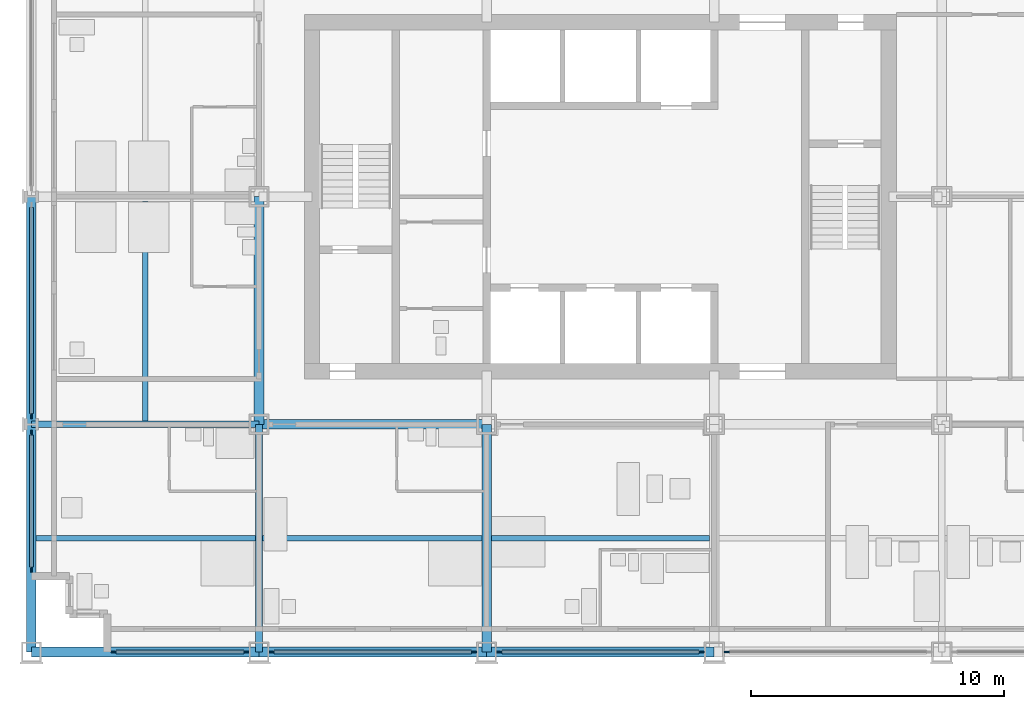
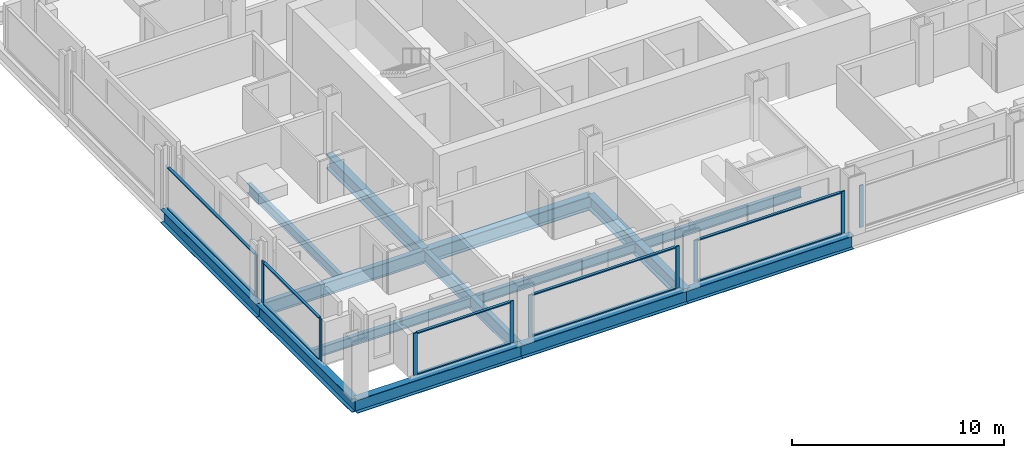
# One storey, part 2 of 18: 20 members, 14 beams, 6 elements without a shape of their own.
"""IFC4 building model written with IfcOpenShell, lengths in metres."""

from ifc_helpers import new_model, si_unit, direction, frame, origin, origin_2d, place, context, subcontext, project, spatial, rectangle, i_section, extrude, material, material_profile, profile_set, type_object, element, aggregate, save


model = new_model("IFC4")

# Units and contexts
model_context = context("Model", 3, precision=1e-05, world=origin(), true_north=direction((0.0, 1.0)))
body_context = subcontext(model_context, "Body", "Model", "MODEL_VIEW")
ifc_project = project(units=[si_unit("LENGTHUNIT", "METRE"), si_unit("AREAUNIT", "SQUARE_METRE"), si_unit("VOLUMEUNIT", "CUBIC_METRE"), si_unit("PLANEANGLEUNIT", "RADIAN"), si_unit("MASSUNIT", "GRAM", prefix="KILO")], contexts=[model_context])

# Site, building, storey
site_placement = place(None, origin())
site = spatial("IfcSite", under=ifc_project, at=site_placement, CompositionType="ELEMENT")
building_placement = place(site_placement, origin())
building = spatial("IfcBuilding", under=site, at=building_placement, Name="Loomwork Tower", CompositionType="ELEMENT")
storey_placement = place(building_placement, frame((0.0, 0.0, 79.0)))
storey = spatial("IfcBuildingStorey", under=building, at=storey_placement, Name="L20", CompositionType="ELEMENT", Elevation=79.0)

# Beams
ifc_material_1 = material(Name="Steel ASTM A992", Category="steel")
ifc_material_profile_1 = material_profile(ifc_material_1, i_section(OverallWidth=0.383544921875, OverallDepth=0.794921875, WebThickness=0.02099609375, FlangeThickness=0.0380859375, at=origin_2d()), Name="W30x235")
ifc_profile_set_1 = profile_set([ifc_material_profile_1], Name="Steel ASTM A992")
beam_type_1 = type_object("IfcBeamType", Name="CORE FLANK GIRDER W30x235", PredefinedType="BEAM", material=ifc_profile_set_1)
for number, where, z_axis, x_axis, name in (
    (1, (9.0, 9.0, -0.597412109375), (1.0, 0.0, 0.0), (0.0, 1.0, 0.0), "Core Flank Girder E/3-E/4 L20"),
    (2, (9.0, 9.0, -0.597412109375), (0.0, 1.0, 0.0), (-1.0, 0.0, 0.0), "Core Flank Girder E/3-F/3 L20"),
    (3, (18.0, 0.0, -0.597412109375), (0.0, 1.0, 0.0), (-1.0, 0.0, 0.0), "Core Flank Girder D/4-E/4 L20"),
):
    element("IfcBeam", number, at=place(storey_placement, frame(where, z_axis=z_axis, x_axis=x_axis)), inside=storey, type_object=beam_type_1, Name=name, PredefinedType="BEAM", context=body_context, shape_type="SweptSolid", body=[
        extrude(i_section(OverallWidth=0.383544921875, OverallDepth=0.794921875, WebThickness=0.02099609375, FlangeThickness=0.0380859375, at=origin_2d()), origin(), (0.0, 0.0, 1.0), 9.0),
    ])
ifc_material_2 = material(Name="Steel ASTM A992", Category="steel")
ifc_material_profile_2 = material_profile(ifc_material_2, i_section(OverallWidth=0.2666015625, OverallDepth=0.761962890625, WebThickness=0.014404296875, FlangeThickness=0.021484375, at=origin_2d()), Name="W30x116")
ifc_profile_set_2 = profile_set([ifc_material_profile_2], Name="Steel ASTM A992")
beam_type_2 = type_object("IfcBeamType", Name="FLOOR GIRDER W30x116", PredefinedType="BEAM", material=ifc_profile_set_2)
for number, where, z_axis, x_axis, name in (
    (4, (0.0, 9.0, -0.5810546875), (1.0, 0.0, 0.0), (0.0, 1.0, 0.0), "Floor Girder E/2-E/3 L20"),
    (5, (9.0, 0.0, -0.5810546875), (0.0, 1.0, 0.0), (-1.0, 0.0, 0.0), "Floor Girder D/3-E/3 L20"),
):
    element("IfcBeam", number, at=place(storey_placement, frame(where, z_axis=z_axis, x_axis=x_axis)), inside=storey, type_object=beam_type_2, Name=name, PredefinedType="BEAM", context=body_context, shape_type="SweptSolid", body=[
        extrude(i_section(OverallWidth=0.2666015625, OverallDepth=0.761962890625, WebThickness=0.014404296875, FlangeThickness=0.021484375, at=origin_2d()), origin(), (0.0, 0.0, 1.0), 9.0),
    ])
ifc_material_3 = material(Name="Steel ASTM A992", Category="steel")
ifc_material_profile_3 = material_profile(ifc_material_3, i_section(OverallWidth=0.2109375, OverallDepth=0.53857421875, WebThickness=0.011474609375, FlangeThickness=0.018798828125, at=origin_2d()), Name="W21x73")
ifc_profile_set_3 = profile_set([ifc_material_profile_3], Name="Steel ASTM A992")
beam_type_3 = type_object("IfcBeamType", Name="FLOOR JOIST W21x73", PredefinedType="JOIST", material=ifc_profile_set_3)
beam_1_placement = place(storey_placement, frame((0.18994140625, 4.5, -0.46923828125), z_axis=(1.0, 0.0, 0.0), x_axis=(0.0, 1.0, 0.0)))
element("IfcBeam", 6, at=beam_1_placement, inside=storey, type_object=beam_type_3, Name="Floor Joist 0.000,4.500-9.000,4.500 L20", PredefinedType="JOIST", context=body_context, shape_type="SweptSolid", body=[
    extrude(i_section(OverallWidth=0.2109375, OverallDepth=0.53857421875, WebThickness=0.011474609375, FlangeThickness=0.018798828125, at=origin_2d()), origin(), (0.0, 0.0, 1.0), 8.677001953125),
])
for number, where, z_axis, x_axis, name in (
    (7, (4.5, 9.133056640625, -0.46923828125), (0.0, 1.0, 0.0), (-1.0, 0.0, 0.0), "Floor Joist 4.500,9.000-4.500,18.000 L20"),
    (8, (9.133056640625, 4.5, -0.46923828125), (1.0, 0.0, 0.0), (0.0, 1.0, 0.0), "Floor Joist 9.000,4.500-18.000,4.500 L20"),
):
    element("IfcBeam", number, at=place(storey_placement, frame(where, z_axis=z_axis, x_axis=x_axis)), inside=storey, type_object=beam_type_3, Name=name, PredefinedType="JOIST", context=body_context, shape_type="SweptSolid", body=[
        extrude(i_section(OverallWidth=0.2109375, OverallDepth=0.53857421875, WebThickness=0.011474609375, FlangeThickness=0.018798828125, at=origin_2d()), origin(), (0.0, 0.0, 1.0), 8.676025390625),
    ])
beam_2_placement = place(storey_placement, frame((18.19091796875, 4.5, -0.46923828125), z_axis=(1.0, 0.0, 0.0), x_axis=(0.0, 1.0, 0.0)))
element("IfcBeam", 9, at=beam_2_placement, inside=storey, type_object=beam_type_3, Name="Floor Joist 18.000,4.500-27.000,4.500 L20", PredefinedType="JOIST", context=body_context, shape_type="SweptSolid", body=[
    extrude(i_section(OverallWidth=0.2109375, OverallDepth=0.53857421875, WebThickness=0.011474609375, FlangeThickness=0.018798828125, at=origin_2d()), origin(), (0.0, 0.0, 1.0), 8.6181640625),
])

# Curtain wall, members
ifc_material_4 = material(Name="Aluminium curtain wall frame", Category="aluminium")
curtain_wall_type = type_object("IfcCurtainWallType", Name="Outer skin glazing hotel", PredefinedType="NOTDEFINED", material=ifc_material_4)
curtain_wall_1_placement = place(storey_placement, origin())
curtain_wall_1 = element("IfcCurtainWall", 10, at=curtain_wall_1_placement, inside=storey, type_object=curtain_wall_type, Name="Outer skin glazing hotel cw/S-0", PredefinedType="NOTDEFINED")
ifc_material_5 = material(Name="Aluminium curtain wall frame", Category="aluminium")
ifc_material_profile_4 = material_profile(ifc_material_5, rectangle(XDim=0.06494140625, YDim=0.199951171875, at=origin_2d()), Name="AL 65x200")
ifc_profile_set_4 = profile_set([ifc_material_profile_4], Name="Aluminium curtain wall frame")
member_type_1 = type_object("IfcMemberType", Name="Outer skin glazing hotel mullion", PredefinedType="MULLION", material=ifc_profile_set_4)
member_1_placement = place(storey_placement, frame((3.25, 0.0, 0.0), z_axis=(0.0, 0.0, 1.0), x_axis=(0.0, 1.0, 0.0)))
member_1 = element("IfcMember", 11, at=member_1_placement, type_object=member_type_1, Name="CW1 mullion 1", PredefinedType="MULLION", context=body_context, shape_type="SweptSolid", body=[
    extrude(rectangle(XDim=0.06494140625, YDim=0.199951171875, at=origin_2d()), origin(), (0.0, 0.0, 1.0), 2.420166015625),
])
member_2_placement = place(storey_placement, frame((8.5, 0.0, 0.0), z_axis=(0.0, 0.0, 1.0), x_axis=(0.0, 1.0, 0.0)))
member_2 = element("IfcMember", 12, at=member_2_placement, type_object=member_type_1, Name="CW1 mullion 2", PredefinedType="MULLION", context=body_context, shape_type="SweptSolid", body=[
    extrude(rectangle(XDim=0.06494140625, YDim=0.199951171875, at=origin_2d()), origin(), (0.0, 0.0, 1.0), 2.420166015625),
])

curtain_wall_2_placement = place(storey_placement, origin())
curtain_wall_2 = element("IfcCurtainWall", 13, at=curtain_wall_2_placement, inside=storey, type_object=curtain_wall_type, Name="Outer skin glazing hotel cw/S-9", PredefinedType="NOTDEFINED")
member_3_placement = place(storey_placement, frame((9.5, 0.0, 0.0), z_axis=(0.0, 0.0, 1.0), x_axis=(0.0, 1.0, 0.0)))
member_3 = element("IfcMember", 14, at=member_3_placement, type_object=member_type_1, Name="CW1 mullion 1", PredefinedType="MULLION", context=body_context, shape_type="SweptSolid", body=[
    extrude(rectangle(XDim=0.06494140625, YDim=0.199951171875, at=origin_2d()), origin(), (0.0, 0.0, 1.0), 2.420166015625),
])
member_4_placement = place(storey_placement, frame((17.5, 0.0, 0.0), z_axis=(0.0, 0.0, 1.0), x_axis=(0.0, 1.0, 0.0)))
member_4 = element("IfcMember", 15, at=member_4_placement, type_object=member_type_1, Name="CW1 mullion 2", PredefinedType="MULLION", context=body_context, shape_type="SweptSolid", body=[
    extrude(rectangle(XDim=0.06494140625, YDim=0.199951171875, at=origin_2d()), origin(), (0.0, 0.0, 1.0), 2.420166015625),
])

curtain_wall_3_placement = place(storey_placement, origin())
curtain_wall_3 = element("IfcCurtainWall", 16, at=curtain_wall_3_placement, inside=storey, type_object=curtain_wall_type, Name="Outer skin glazing hotel cw/S-18", PredefinedType="NOTDEFINED")
member_5_placement = place(storey_placement, frame((18.5, 0.0, 0.0), z_axis=(0.0, 0.0, 1.0), x_axis=(0.0, 1.0, 0.0)))
member_5 = element("IfcMember", 17, at=member_5_placement, type_object=member_type_1, Name="CW1 mullion 1", PredefinedType="MULLION", context=body_context, shape_type="SweptSolid", body=[
    extrude(rectangle(XDim=0.06494140625, YDim=0.199951171875, at=origin_2d()), origin(), (0.0, 0.0, 1.0), 2.420166015625),
])
member_6_placement = place(storey_placement, frame((26.5, 0.0, 0.0), z_axis=(0.0, 0.0, 1.0), x_axis=(0.0, 1.0, 0.0)))
member_6 = element("IfcMember", 18, at=member_6_placement, type_object=member_type_1, Name="CW1 mullion 2", PredefinedType="MULLION", context=body_context, shape_type="SweptSolid", body=[
    extrude(rectangle(XDim=0.06494140625, YDim=0.199951171875, at=origin_2d()), origin(), (0.0, 0.0, 1.0), 2.420166015625),
])

# Curtain wall, member
curtain_wall_4_placement = place(storey_placement, origin())
curtain_wall_4 = element("IfcCurtainWall", 19, at=curtain_wall_4_placement, inside=storey, type_object=curtain_wall_type, Name="Outer skin glazing hotel cw/S-27", PredefinedType="NOTDEFINED")
member_7_placement = place(storey_placement, frame((27.5, 0.0, 0.0), z_axis=(0.0, 0.0, 1.0), x_axis=(0.0, 1.0, 0.0)))
member_7 = element("IfcMember", 20, at=member_7_placement, type_object=member_type_1, Name="CW1 mullion 1", PredefinedType="MULLION", context=body_context, shape_type="SweptSolid", body=[
    extrude(rectangle(XDim=0.06494140625, YDim=0.199951171875, at=origin_2d()), origin(), (0.0, 0.0, 1.0), 2.420166015625),
])
aggregate(curtain_wall_4, [member_7])

# Curtain wall, members
curtain_wall_5_placement = place(storey_placement, origin())
curtain_wall_5 = element("IfcCurtainWall", 21, at=curtain_wall_5_placement, inside=storey, type_object=curtain_wall_type, Name="Outer skin glazing hotel cw/W-0", PredefinedType="NOTDEFINED")
member_8_placement = place(storey_placement, frame((0.0, 8.672607421875, 0.0), z_axis=(0.0, 0.0, 1.0), x_axis=(1.0, 0.0, 0.0)))
member_8 = element("IfcMember", 22, at=member_8_placement, type_object=member_type_1, Name="CW1 mullion 1", PredefinedType="MULLION", context=body_context, shape_type="SweptSolid", body=[
    extrude(rectangle(XDim=0.06494140625, YDim=0.199951171875, at=origin_2d()), origin(), (0.0, 0.0, 1.0), 2.420166015625),
])
member_9_placement = place(storey_placement, frame((0.0, 3.25, 0.0), z_axis=(0.0, 0.0, 1.0), x_axis=(1.0, 0.0, 0.0)))
member_9 = element("IfcMember", 23, at=member_9_placement, type_object=member_type_1, Name="CW1 mullion 2", PredefinedType="MULLION", context=body_context, shape_type="SweptSolid", body=[
    extrude(rectangle(XDim=0.06494140625, YDim=0.199951171875, at=origin_2d()), origin(), (0.0, 0.0, 1.0), 2.420166015625),
])

# Curtain wall, member
curtain_wall_6_placement = place(storey_placement, origin())
curtain_wall_6 = element("IfcCurtainWall", 24, at=curtain_wall_6_placement, inside=storey, type_object=curtain_wall_type, Name="Outer skin glazing hotel cw/W-9", PredefinedType="NOTDEFINED")
member_10_placement = place(storey_placement, frame((0.0, 9.327392578125, 0.0), z_axis=(0.0, 0.0, 1.0), x_axis=(1.0, 0.0, 0.0)))
member_10 = element("IfcMember", 25, at=member_10_placement, type_object=member_type_1, Name="CW1 mullion 2", PredefinedType="MULLION", context=body_context, shape_type="SweptSolid", body=[
    extrude(rectangle(XDim=0.06494140625, YDim=0.199951171875, at=origin_2d()), origin(), (0.0, 0.0, 1.0), 2.420166015625),
])

# Member
ifc_material_6 = material(Name="Aluminium curtain wall frame", Category="aluminium")
ifc_material_profile_5 = material_profile(ifc_material_6, rectangle(XDim=0.14990234375, YDim=0.06494140625, at=origin_2d()), Name="AL 65x150")
ifc_profile_set_5 = profile_set([ifc_material_profile_5], Name="Aluminium curtain wall frame")
member_type_2 = type_object("IfcMemberType", Name="Outer skin glazing hotel transom", PredefinedType="USERDEFINED", material=ifc_profile_set_5)
member_11_placement = place(storey_placement, frame((3.35009765625, 0.0, 0.032470703125), z_axis=(1.0, 0.0, 0.0), x_axis=(0.0, 1.0, 0.0)))
member_11 = element("IfcMember", 26, at=member_11_placement, type_object=member_type_2, Name="CW1 transom 1.1", ObjectType="TRANSOM", PredefinedType="USERDEFINED", context=body_context, shape_type="SweptSolid", body=[
    extrude(rectangle(XDim=0.14990234375, YDim=0.06494140625, at=origin_2d()), origin(), (0.0, 0.0, 1.0), 5.0498046875),
])

member_12_placement = place(storey_placement, frame((3.35009765625, 0.0, 2.3876953125), z_axis=(1.0, 0.0, 0.0), x_axis=(0.0, 1.0, 0.0)))
member_12 = element("IfcMember", 27, at=member_12_placement, type_object=member_type_2, Name="CW1 transom 1.2", ObjectType="TRANSOM", PredefinedType="USERDEFINED", context=body_context, shape_type="SweptSolid", body=[
    extrude(rectangle(XDim=0.14990234375, YDim=0.06494140625, at=origin_2d()), origin(), (0.0, 0.0, 1.0), 5.0498046875),
])

aggregate(curtain_wall_1, [member_1, member_2, member_11, member_12])

member_13_placement = place(storey_placement, frame((9.60009765625, 0.0, 0.032470703125), z_axis=(1.0, 0.0, 0.0), x_axis=(0.0, 1.0, 0.0)))
member_13 = element("IfcMember", 28, at=member_13_placement, type_object=member_type_2, Name="CW1 transom 1.1", ObjectType="TRANSOM", PredefinedType="USERDEFINED", context=body_context, shape_type="SweptSolid", body=[
    extrude(rectangle(XDim=0.14990234375, YDim=0.06494140625, at=origin_2d()), origin(), (0.0, 0.0, 1.0), 7.7998046875),
])

member_14_placement = place(storey_placement, frame((9.60009765625, 0.0, 2.3876953125), z_axis=(1.0, 0.0, 0.0), x_axis=(0.0, 1.0, 0.0)))
member_14 = element("IfcMember", 29, at=member_14_placement, type_object=member_type_2, Name="CW1 transom 1.2", ObjectType="TRANSOM", PredefinedType="USERDEFINED", context=body_context, shape_type="SweptSolid", body=[
    extrude(rectangle(XDim=0.14990234375, YDim=0.06494140625, at=origin_2d()), origin(), (0.0, 0.0, 1.0), 7.7998046875),
])

aggregate(curtain_wall_2, [member_3, member_4, member_13, member_14])

member_15_placement = place(storey_placement, frame((18.60009765625, 0.0, 0.032470703125), z_axis=(1.0, 0.0, 0.0), x_axis=(0.0, 1.0, 0.0)))
member_15 = element("IfcMember", 30, at=member_15_placement, type_object=member_type_2, Name="CW1 transom 1.1", ObjectType="TRANSOM", PredefinedType="USERDEFINED", context=body_context, shape_type="SweptSolid", body=[
    extrude(rectangle(XDim=0.14990234375, YDim=0.06494140625, at=origin_2d()), origin(), (0.0, 0.0, 1.0), 7.7998046875),
])

member_16_placement = place(storey_placement, frame((18.60009765625, 0.0, 2.3876953125), z_axis=(1.0, 0.0, 0.0), x_axis=(0.0, 1.0, 0.0)))
member_16 = element("IfcMember", 31, at=member_16_placement, type_object=member_type_2, Name="CW1 transom 1.2", ObjectType="TRANSOM", PredefinedType="USERDEFINED", context=body_context, shape_type="SweptSolid", body=[
    extrude(rectangle(XDim=0.14990234375, YDim=0.06494140625, at=origin_2d()), origin(), (0.0, 0.0, 1.0), 7.7998046875),
])

aggregate(curtain_wall_3, [member_5, member_6, member_15, member_16])

member_17_placement = place(storey_placement, frame((0.0, 8.57275390625, 0.032470703125), z_axis=(0.0, -1.0, 0.0), x_axis=(1.0, 0.0, 0.0)))
member_17 = element("IfcMember", 32, at=member_17_placement, type_object=member_type_2, Name="CW1 transom 1.1", ObjectType="TRANSOM", PredefinedType="USERDEFINED", context=body_context, shape_type="SweptSolid", body=[
    extrude(rectangle(XDim=0.14990234375, YDim=0.06494140625, at=origin_2d()), origin(), (0.0, 0.0, 1.0), 5.22265625),
])

member_18_placement = place(storey_placement, frame((0.0, 8.57275390625, 2.3876953125), z_axis=(0.0, -1.0, 0.0), x_axis=(1.0, 0.0, 0.0)))
member_18 = element("IfcMember", 33, at=member_18_placement, type_object=member_type_2, Name="CW1 transom 1.2", ObjectType="TRANSOM", PredefinedType="USERDEFINED", context=body_context, shape_type="SweptSolid", body=[
    extrude(rectangle(XDim=0.14990234375, YDim=0.06494140625, at=origin_2d()), origin(), (0.0, 0.0, 1.0), 5.22265625),
])

aggregate(curtain_wall_5, [member_8, member_9, member_17, member_18])

member_19_placement = place(storey_placement, frame((0.0, 17.57275390625, 0.032470703125), z_axis=(0.0, -1.0, 0.0), x_axis=(1.0, 0.0, 0.0)))
member_19 = element("IfcMember", 34, at=member_19_placement, type_object=member_type_2, Name="CW1 transom 1.1", ObjectType="TRANSOM", PredefinedType="USERDEFINED", context=body_context, shape_type="SweptSolid", body=[
    extrude(rectangle(XDim=0.14990234375, YDim=0.06494140625, at=origin_2d()), origin(), (0.0, 0.0, 1.0), 8.1455078125),
])

member_20_placement = place(storey_placement, frame((0.0, 17.57275390625, 2.3876953125), z_axis=(0.0, -1.0, 0.0), x_axis=(1.0, 0.0, 0.0)))
member_20 = element("IfcMember", 35, at=member_20_placement, type_object=member_type_2, Name="CW1 transom 1.2", ObjectType="TRANSOM", PredefinedType="USERDEFINED", context=body_context, shape_type="SweptSolid", body=[
    extrude(rectangle(XDim=0.14990234375, YDim=0.06494140625, at=origin_2d()), origin(), (0.0, 0.0, 1.0), 8.1455078125),
])

aggregate(curtain_wall_6, [member_10, member_19, member_20])

# Beams
ifc_material_7 = material(Name="Steel ASTM A992", Category="steel")
ifc_material_profile_6 = material_profile(ifc_material_7, i_section(OverallWidth=0.381103515625, OverallDepth=0.77978515625, WebThickness=0.01806640625, FlangeThickness=0.0302734375, at=origin_2d()), Name="W30x191")
ifc_profile_set_6 = profile_set([ifc_material_profile_6], Name="Steel ASTM A992")
beam_type_4 = type_object("IfcBeamType", Name="SPANDREL GIRDER W30x191", PredefinedType="SPANDREL", material=ifc_profile_set_6)
for number, where, z_axis, x_axis, name in (
    (36, (0.0, 0.0, -0.58984375), (1.0, 0.0, 0.0), (0.0, 1.0, 0.0), "Spandrel Girder D/2-D/3 L20"),
    (37, (9.0, 0.0, -0.58984375), (1.0, 0.0, 0.0), (0.0, 1.0, 0.0), "Spandrel Girder D/3-D/4 L20"),
    (38, (18.0, 0.0, -0.58984375), (1.0, 0.0, 0.0), (0.0, 1.0, 0.0), "Spandrel Girder D/4-D/5 L20"),
    (39, (0.0, 0.0, -0.58984375), (0.0, 1.0, 0.0), (-1.0, 0.0, 0.0), "Spandrel Girder D/2-E/2 L20"),
    (40, (0.0, 9.0, -0.58984375), (0.0, 1.0, 0.0), (-1.0, 0.0, 0.0), "Spandrel Girder E/2-F/2 L20"),
):
    element("IfcBeam", number, at=place(storey_placement, frame(where, z_axis=z_axis, x_axis=x_axis)), inside=storey, type_object=beam_type_4, Name=name, PredefinedType="SPANDREL", context=body_context, shape_type="SweptSolid", body=[
        extrude(i_section(OverallWidth=0.381103515625, OverallDepth=0.77978515625, WebThickness=0.01806640625, FlangeThickness=0.0302734375, at=origin_2d()), origin(), (0.0, 0.0, 1.0), 9.0),
    ])

save(model, "model.ifc")
